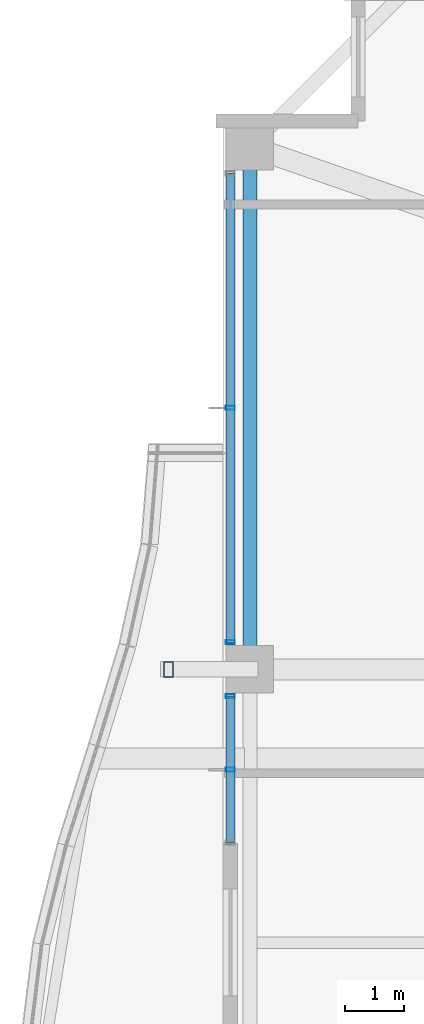
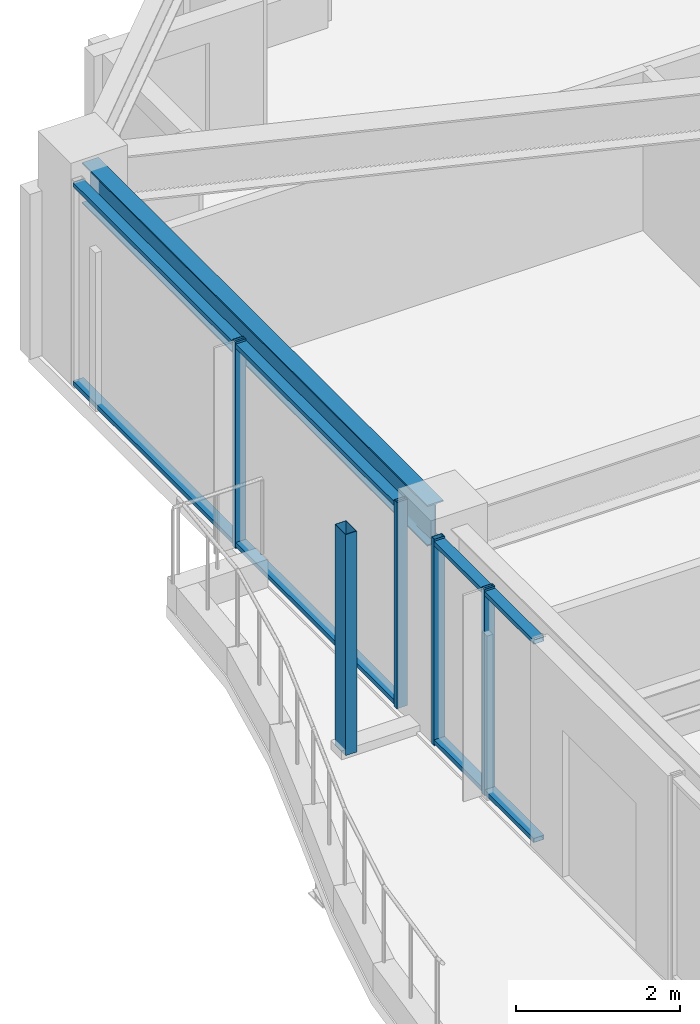
# One storey, part 8 of 33: 9 members, 1 beam, 2 elements without a shape of their own.
"""IFC4 building model written with IfcOpenShell, lengths in metres."""

from ifc_helpers import new_model, si_unit, direction, frame, origin, origin_2d, place, context, subcontext, project, spatial, hollow_rectangle, i_section, extrude, material, material_profile, profile_set, type_object, element, aggregate, save


model = new_model("IFC4")

# Units and contexts
model_context = context("Model", 3, precision=1e-05, world=origin(), true_north=direction((0.0, 1.0)))
body_context = subcontext(model_context, "Body", "Model", "MODEL_VIEW")
ifc_project = project(units=[si_unit("LENGTHUNIT", "METRE"), si_unit("AREAUNIT", "SQUARE_METRE"), si_unit("VOLUMEUNIT", "CUBIC_METRE"), si_unit("PLANEANGLEUNIT", "RADIAN"), si_unit("MASSUNIT", "GRAM", prefix="KILO")], contexts=[model_context])

# Site, building, storey
site_placement = place(None, origin())
site = spatial("IfcSite", under=ifc_project, at=site_placement, CompositionType="ELEMENT")
building_placement = place(site_placement, origin())
building = spatial("IfcBuilding", under=site, at=building_placement, Name="Kolvaren Belvedere", CompositionType="ELEMENT")
storey_placement = place(building_placement, frame((0.0, 0.0, 209.699951171875)))
storey = spatial("IfcBuildingStorey", under=building, at=storey_placement, Name="L61", CompositionType="ELEMENT", Elevation=209.699951171875)

# Beam
ifc_material_1 = material(Name="Structural steel ASTM A992 Grade 50", Category="steel")
ifc_material_profile_1 = material_profile(ifc_material_1, i_section(OverallWidth=0.22900390625, OverallDepth=0.612060546875, WebThickness=0.011962890625, FlangeThickness=0.01953125, FilletRadius=0.01806640625, at=origin_2d()), Name="W24X84")
ifc_profile_set_1 = profile_set([ifc_material_profile_1], Name="Structural steel ASTM A992 Grade 50")
beam_type = type_object("IfcBeamType", Name="BM-SPAN-W24X84", PredefinedType="SPANDREL", material=ifc_profile_set_1)
beam_placement = place(storey_placement, frame((-19.949951171875, 13.219970703125, 2.774169921875), z_axis=(0.0, -1.0, 0.0), x_axis=(1.0, 0.0, 0.0)))
element("IfcBeam", 1, at=beam_placement, inside=storey, type_object=beam_type, Name="L61 Perimeter Spandrel W4-W3", PredefinedType="SPANDREL", context=body_context, shape_type="SweptSolid", body=[
    extrude(i_section(OverallWidth=0.22900390625, OverallDepth=0.612060546875, WebThickness=0.011962890625, FlangeThickness=0.01953125, FilletRadius=0.01806640625, at=origin_2d()), origin(), (0.0, 0.0, 1.0), 8.43994140625),
])

# Curtain wall, members
ifc_material_2 = material(Name="Anodised pale-metal aluminium AA 6063-T6", Category="aluminium")
curtain_wall_type = type_object("IfcCurtainWallType", Name="CW-Z5-HIGH", PredefinedType="NOTDEFINED", material=ifc_material_2)
curtain_wall_1_placement = place(storey_placement, origin())
curtain_wall_1 = element("IfcCurtainWall", 2, at=curtain_wall_1_placement, inside=storey, type_object=curtain_wall_type, Name="L61 Unitised Curtain Wall FCW-L61-W2-B1", PredefinedType="NOTDEFINED")
ifc_material_3 = material(Name="Anodised pale-metal aluminium AA 6063-T6", Category="aluminium")
ifc_material_profile_2 = material_profile(ifc_material_3, hollow_rectangle(XDim=0.070068359375, YDim=0.14990234375, WallThickness=0.004150390625, at=origin_2d()), Name="ALU-MUL-150X70")
ifc_profile_set_2 = profile_set([ifc_material_profile_2], Name="Anodised pale-metal aluminium AA 6063-T6")
member_type_1 = type_object("IfcMemberType", Name="CW-MUL-150", PredefinedType="MULLION", material=ifc_profile_set_2)
member_1_placement = place(storey_placement, frame((-20.280029296875, 2.91259765625, 0.0), z_axis=(0.0, 0.0, 1.0), x_axis=(0.0, 1.0, 0.0)))
member_1 = element("IfcMember", 3, at=member_1_placement, type_object=member_type_1, Name="FCW-L61-W2-B1 Unitised Mullion 2", PredefinedType="MULLION", context=body_context, shape_type="SweptSolid", body=[
    extrude(hollow_rectangle(XDim=0.070068359375, YDim=0.14990234375, WallThickness=0.004150390625, at=origin_2d()), origin(), (0.0, 0.0, 1.0), 3.080078125),
])
member_2_placement = place(storey_placement, frame((-20.280029296875, 4.14501953125, 0.0), z_axis=(0.0, 0.0, 1.0), x_axis=(0.0, 1.0, 0.0)))
member_2 = element("IfcMember", 4, at=member_2_placement, type_object=member_type_1, Name="FCW-L61-W2-B1 Unitised Mullion 3", PredefinedType="MULLION", context=body_context, shape_type="SweptSolid", body=[
    extrude(hollow_rectangle(XDim=0.070068359375, YDim=0.14990234375, WallThickness=0.004150390625, at=origin_2d()), origin(), (0.0, 0.0, 1.0), 3.080078125),
])

curtain_wall_2_placement = place(storey_placement, origin())
curtain_wall_2 = element("IfcCurtainWall", 5, at=curtain_wall_2_placement, inside=storey, type_object=curtain_wall_type, Name="L61 Unitised Curtain Wall FCW-L61-W2-B2", PredefinedType="NOTDEFINED")
member_3_placement = place(storey_placement, frame((-20.280029296875, 5.054931640625, 0.0), z_axis=(0.0, 0.0, 1.0), x_axis=(0.0, 1.0, 0.0)))
member_3 = element("IfcMember", 6, at=member_3_placement, type_object=member_type_1, Name="FCW-L61-W2-B2 Unitised Mullion 1", PredefinedType="MULLION", context=body_context, shape_type="SweptSolid", body=[
    extrude(hollow_rectangle(XDim=0.070068359375, YDim=0.14990234375, WallThickness=0.004150390625, at=origin_2d()), origin(), (0.0, 0.0, 1.0), 3.080078125),
])
member_4_placement = place(storey_placement, frame((-20.280029296875, 9.0, 0.0), z_axis=(0.0, 0.0, 1.0), x_axis=(0.0, 1.0, 0.0)))
member_4 = element("IfcMember", 7, at=member_4_placement, type_object=member_type_1, Name="FCW-L61-W2-B2 Unitised Mullion 2", PredefinedType="MULLION", context=body_context, shape_type="SweptSolid", body=[
    extrude(hollow_rectangle(XDim=0.070068359375, YDim=0.14990234375, WallThickness=0.004150390625, at=origin_2d()), origin(), (0.0, 0.0, 1.0), 3.080078125),
])

# Member
ifc_material_4 = material(Name="Anodised pale-metal aluminium AA 6063-T6", Category="aluminium")
ifc_material_profile_3 = material_profile(ifc_material_4, hollow_rectangle(XDim=0.06494140625, YDim=0.14990234375, WallThickness=0.00390625, at=origin_2d()), Name="ALU-TRN-150X65")
ifc_profile_set_3 = profile_set([ifc_material_profile_3], Name="Anodised pale-metal aluminium AA 6063-T6")
member_type_2 = type_object("IfcMemberType", Name="CW-TRN-150", PredefinedType="USERDEFINED", material=ifc_profile_set_3)
member_5_placement = place(storey_placement, frame((-20.280029296875, 1.679931640625, 0.06005859375), z_axis=(0.0, 1.0, 0.0), x_axis=(0.0, 0.0, 1.0)))
member_5 = element("IfcMember", 8, at=member_5_placement, type_object=member_type_2, Name="FCW-L61-W2-B1 Sill Transom", ObjectType="TRANSOM", PredefinedType="USERDEFINED", context=body_context, shape_type="SweptSolid", body=[
    extrude(hollow_rectangle(XDim=0.06494140625, YDim=0.14990234375, WallThickness=0.00390625, at=origin_2d()), origin(), (0.0, 0.0, 1.0), 2.465087890625),
])

member_6_placement = place(storey_placement, frame((-20.280029296875, 1.679931640625, 3.02001953125), z_axis=(0.0, 1.0, 0.0), x_axis=(0.0, 0.0, 1.0)))
member_6 = element("IfcMember", 9, at=member_6_placement, type_object=member_type_2, Name="FCW-L61-W2-B1 Head Transom", ObjectType="TRANSOM", PredefinedType="USERDEFINED", context=body_context, shape_type="SweptSolid", body=[
    extrude(hollow_rectangle(XDim=0.06494140625, YDim=0.14990234375, WallThickness=0.00390625, at=origin_2d()), origin(), (0.0, 0.0, 1.0), 2.465087890625),
])

aggregate(curtain_wall_1, [member_1, member_2, member_5, member_6])

member_7_placement = place(storey_placement, frame((-20.280029296875, 5.054931640625, 0.06005859375), z_axis=(0.0, 1.0, 0.0), x_axis=(0.0, 0.0, 1.0)))
member_7 = element("IfcMember", 10, at=member_7_placement, type_object=member_type_2, Name="FCW-L61-W2-B2 Sill Transom", ObjectType="TRANSOM", PredefinedType="USERDEFINED", context=body_context, shape_type="SweptSolid", body=[
    extrude(hollow_rectangle(XDim=0.06494140625, YDim=0.14990234375, WallThickness=0.00390625, at=origin_2d()), origin(), (0.0, 0.0, 1.0), 7.89013671875),
])

member_8_placement = place(storey_placement, frame((-20.280029296875, 5.054931640625, 3.02001953125), z_axis=(0.0, 1.0, 0.0), x_axis=(0.0, 0.0, 1.0)))
member_8 = element("IfcMember", 11, at=member_8_placement, type_object=member_type_2, Name="FCW-L61-W2-B2 Head Transom", ObjectType="TRANSOM", PredefinedType="USERDEFINED", context=body_context, shape_type="SweptSolid", body=[
    extrude(hollow_rectangle(XDim=0.06494140625, YDim=0.14990234375, WallThickness=0.00390625, at=origin_2d()), origin(), (0.0, 0.0, 1.0), 7.89013671875),
])

aggregate(curtain_wall_2, [member_3, member_4, member_7, member_8])

ifc_material_5 = material(Name="Anodised pale-metal aluminium AA 6063-T6", Category="aluminium")
ifc_material_profile_4 = material_profile(ifc_material_5, hollow_rectangle(XDim=0.159912109375, YDim=0.260009765625, WallThickness=0.006591796875, at=origin_2d()), Name="ALU-PF-260X160")
ifc_profile_set_4 = profile_set([ifc_material_profile_4], Name="Anodised pale-metal aluminium AA 6063-T6")
member_type_3 = type_object("IfcMemberType", Name="PF-FRAME-260", PredefinedType="USERDEFINED", material=ifc_profile_set_4)
member_9_placement = place(storey_placement, frame((-21.320068359375, 4.60009765625, 0.0), z_axis=(0.0, 0.0, 1.0), x_axis=(1.0, 0.0, 0.0)))
element("IfcMember", 12, at=member_9_placement, inside=storey, type_object=member_type_3, Name="L61 Outboard Picture-Frame Vertical W2", ObjectType="PICTURE FRAME FIN", PredefinedType="USERDEFINED", context=body_context, shape_type="SweptSolid", body=[
    extrude(hollow_rectangle(XDim=0.159912109375, YDim=0.260009765625, WallThickness=0.006591796875, at=origin_2d()), origin(), (0.0, 0.0, 1.0), 3.300048828125),
])

save(model, "model.ifc")
